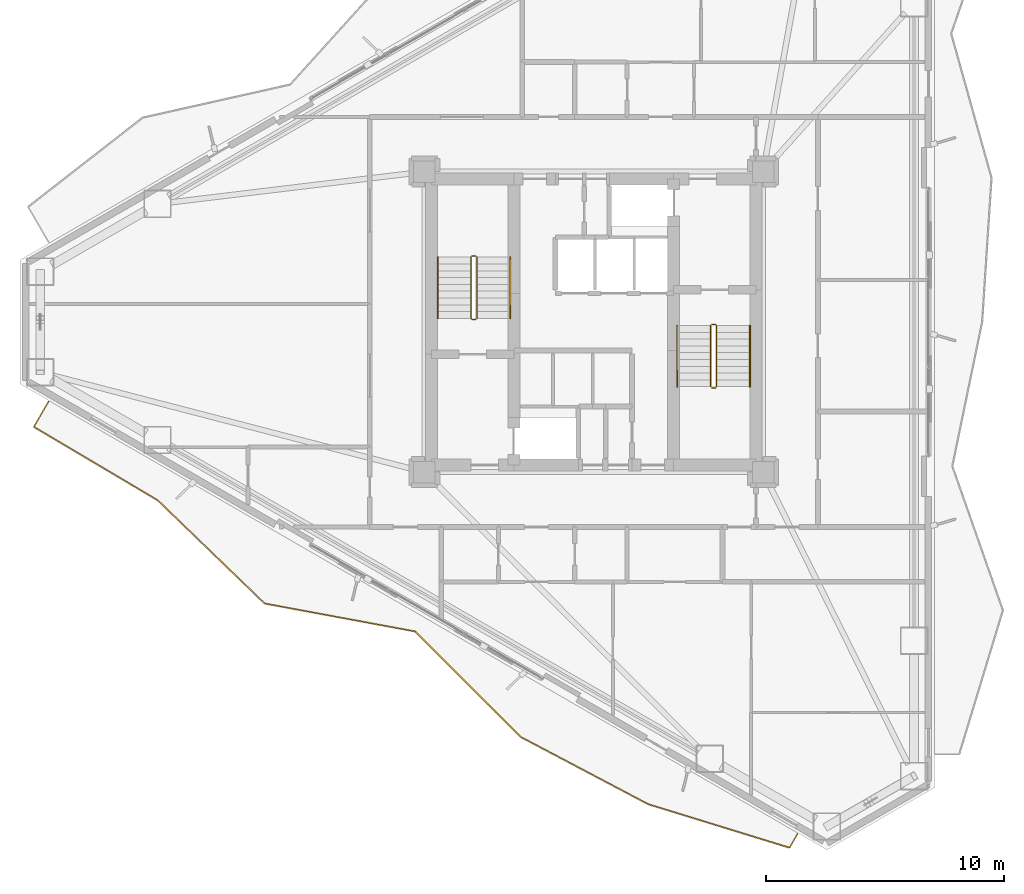
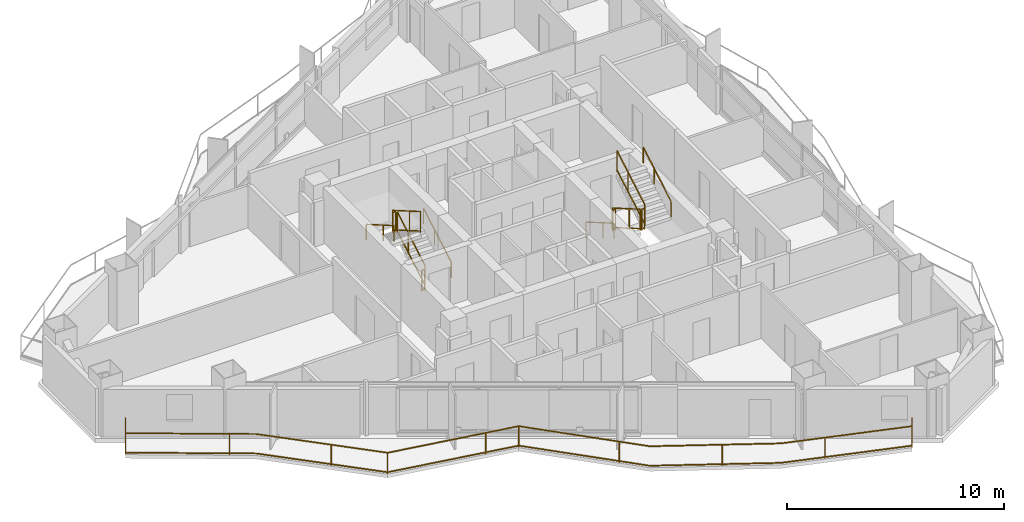
# One storey, part 21 of 22: 13 railings.
"""IFC4 building model written with IfcOpenShell, lengths in metres."""

from ifc_helpers import new_model, si_unit, direction, frame, origin, origin_2d, place, context, subcontext, project, spatial, rectangle, extrude, material, type_object, element, save


model = new_model("IFC4")

# Units and contexts
model_context = context("Model", 3, precision=1e-05, world=origin(), true_north=direction((0.0, 1.0)))
body_context = subcontext(model_context, "Body", "Model", "MODEL_VIEW")
ifc_project = project(units=[si_unit("LENGTHUNIT", "METRE"), si_unit("AREAUNIT", "SQUARE_METRE"), si_unit("VOLUMEUNIT", "CUBIC_METRE"), si_unit("PLANEANGLEUNIT", "RADIAN"), si_unit("MASSUNIT", "GRAM", prefix="KILO")], contexts=[model_context])

# Site, building, storey
site_placement = place(None, origin())
site = spatial("IfcSite", under=ifc_project, at=site_placement, CompositionType="ELEMENT")
building_placement = place(site_placement, origin())
building = spatial("IfcBuilding", under=site, at=building_placement, Name="Mersakhor Tower and Convention Hall", CompositionType="ELEMENT")
storey_placement = place(building_placement, frame((0.0, 0.0, 90.0)))
storey = spatial("IfcBuildingStorey", under=building, at=storey_placement, Name="L24", CompositionType="ELEMENT", Elevation=90.0)

# Railings
ifc_material_1 = material(Name="Powder-coated galvanised steel and laminated glass balustrade", Category="steel")
railing_type_1 = type_object("IfcRailingType", Name="RL-BAL-1200", PredefinedType="BALUSTRADE", material=ifc_material_1)
railing_1_placement = place(storey_placement, frame((6.1240234375, 23.4052734375, 0.0)))
element("IfcRailing", 1, at=railing_1_placement, inside=storey, type_object=railing_type_1, Name="L24 Sinusoidal Balcony Balustrade F3", PredefinedType="BALUSTRADE", context=body_context, shape_type="SweptSolid", body=[
    extrude(rectangle(XDim=0.048095703125, YDim=0.048095703125, at=origin_2d()), frame((0.0, 0.0, 1.17578125), z_axis=(-0.499885111907, -0.866091724296, 0.0), x_axis=(0.866091724296, -0.499885111907, 0.0)), (0.0, 0.0, 1.0), 1.212646484375),
    extrude(rectangle(XDim=0.048095703125, YDim=0.048095703125, at=origin_2d()), frame((0.0, 0.0, 0.080078125), z_axis=(-0.499885111907, -0.866091724296, 0.0), x_axis=(0.866091724296, -0.499885111907, 0.0)), (0.0, 0.0, 1.0), 1.212646484375),
    extrude(rectangle(XDim=0.048095703125, YDim=0.048095703125, at=origin_2d()), frame((-0.606201171875, -1.05029296875, 1.17578125), z_axis=(0.860223972095, -0.509916383177, 0.0), x_axis=(0.509916383177, 0.860223972095, 0.0)), (0.0, 0.0, 1.0), 6.046630859375),
    extrude(rectangle(XDim=0.048095703125, YDim=0.048095703125, at=origin_2d()), frame((-0.606201171875, -1.05029296875, 0.080078125), z_axis=(0.860223972095, -0.509916383177, 0.0), x_axis=(0.509916383177, 0.860223972095, 0.0)), (0.0, 0.0, 1.0), 6.046630859375),
    extrude(rectangle(XDim=0.048095703125, YDim=0.048095703125, at=origin_2d()), frame((4.59521484375, -4.133544921875, 1.17578125), z_axis=(0.71939876015, -0.694597310601, 0.0), x_axis=(0.694597310601, 0.71939876015, 0.0)), (0.0, 0.0, 1.0), 6.231201171875),
    extrude(rectangle(XDim=0.048095703125, YDim=0.048095703125, at=origin_2d()), frame((4.59521484375, -4.133544921875, 0.080078125), z_axis=(0.71939876015, -0.694597310601, 0.0), x_axis=(0.694597310601, 0.71939876015, 0.0)), (0.0, 0.0, 1.0), 6.231201171875),
    extrude(rectangle(XDim=0.048095703125, YDim=0.048095703125, at=origin_2d()), frame((9.077880859375, -8.461669921875, 1.17578125), z_axis=(0.983201132036, -0.182525433742, 0.0), x_axis=(0.182525433742, 0.983201132036, 0.0)), (0.0, 0.0, 1.0), 6.41357421875),
    extrude(rectangle(XDim=0.048095703125, YDim=0.048095703125, at=origin_2d()), frame((9.077880859375, -8.461669921875, 0.080078125), z_axis=(0.983201132036, -0.182525433742, 0.0), x_axis=(0.182525433742, 0.983201132036, 0.0)), (0.0, 0.0, 1.0), 6.41357421875),
    extrude(rectangle(XDim=0.048095703125, YDim=0.048095703125, at=origin_2d()), frame((15.3837890625, -9.63232421875, 1.17578125), z_axis=(0.707477274839, -0.706736093309, 0.0), x_axis=(0.706736093309, 0.707477274839, 0.0)), (0.0, 0.0, 1.0), 6.258544921875),
    extrude(rectangle(XDim=0.048095703125, YDim=0.048095703125, at=origin_2d()), frame((15.3837890625, -9.63232421875, 0.080078125), z_axis=(0.707477274839, -0.706736093309, 0.0), x_axis=(0.706736093309, 0.707477274839, 0.0)), (0.0, 0.0, 1.0), 6.258544921875),
    extrude(rectangle(XDim=0.048095703125, YDim=0.048095703125, at=origin_2d()), frame((19.8115234375, -14.055419921875, 1.17578125), z_axis=(0.884575759163, -0.466396533329, 0.0), x_axis=(0.466396533329, 0.884575759163, 0.0)), (0.0, 0.0, 1.0), 6.05078125),
    extrude(rectangle(XDim=0.048095703125, YDim=0.048095703125, at=origin_2d()), frame((19.8115234375, -14.055419921875, 0.080078125), z_axis=(0.884575759163, -0.466396533329, 0.0), x_axis=(0.466396533329, 0.884575759163, 0.0)), (0.0, 0.0, 1.0), 6.05078125),
    extrude(rectangle(XDim=0.048095703125, YDim=0.048095703125, at=origin_2d()), frame((25.163818359375, -16.87744140625, 1.17578125), z_axis=(0.955681077539, -0.294403936853, 0.0), x_axis=(0.294403936853, 0.955681077539, 0.0)), (0.0, 0.0, 1.0), 6.2021484375),
    extrude(rectangle(XDim=0.048095703125, YDim=0.048095703125, at=origin_2d()), frame((25.163818359375, -16.87744140625, 0.080078125), z_axis=(0.955681077539, -0.294403936853, 0.0), x_axis=(0.294403936853, 0.955681077539, 0.0)), (0.0, 0.0, 1.0), 6.2021484375),
    extrude(rectangle(XDim=0.048095703125, YDim=0.048095703125, at=origin_2d()), frame((31.091064453125, -18.703369140625, 1.17578125), z_axis=(0.500165322679, 0.865929933649, 0.0), x_axis=(-0.865929933649, 0.500165322679, 0.0)), (0.0, 0.0, 1.0), 0.652099609375),
    extrude(rectangle(XDim=0.048095703125, YDim=0.048095703125, at=origin_2d()), frame((31.091064453125, -18.703369140625, 0.080078125), z_axis=(0.500165322679, 0.865929933649, 0.0), x_axis=(-0.865929933649, 0.500165322679, 0.0)), (0.0, 0.0, 1.0), 0.652099609375),
    extrude(rectangle(XDim=0.0419921875, YDim=0.0419921875, at=origin_2d()), origin(), (0.0, 0.0, 1.0), 1.15185546875),
    extrude(rectangle(XDim=0.0419921875, YDim=0.0419921875, at=origin_2d()), frame((-0.606201171875, -1.05029296875, 0.0)), (0.0, 0.0, 1.0), 1.15185546875),
    extrude(rectangle(XDim=0.0419921875, YDim=0.0419921875, at=origin_2d()), frame((3.52294921875, -3.497802734375, 0.0)), (0.0, 0.0, 1.0), 1.15185546875),
    extrude(rectangle(XDim=0.0419921875, YDim=0.0419921875, at=origin_2d()), frame((7.151611328125, -6.601806640625, 0.0)), (0.0, 0.0, 1.0), 1.15185546875),
    extrude(rectangle(XDim=0.0419921875, YDim=0.0419921875, at=origin_2d()), frame((9.077880859375, -8.461669921875, 0.0)), (0.0, 0.0, 1.0), 1.15185546875),
    extrude(rectangle(XDim=0.0419921875, YDim=0.0419921875, at=origin_2d()), frame((13.79736328125, -9.337890625, 0.0)), (0.0, 0.0, 1.0), 1.15185546875),
    extrude(rectangle(XDim=0.0419921875, YDim=0.0419921875, at=origin_2d()), frame((15.3837890625, -9.63232421875, 0.0)), (0.0, 0.0, 1.0), 1.15185546875),
    extrude(rectangle(XDim=0.0419921875, YDim=0.0419921875, at=origin_2d()), frame((18.77978515625, -13.024658203125, 0.0)), (0.0, 0.0, 1.0), 1.15185546875),
    extrude(rectangle(XDim=0.0419921875, YDim=0.0419921875, at=origin_2d()), frame((22.767333984375, -15.614013671875, 0.0)), (0.0, 0.0, 1.0), 1.15185546875),
    extrude(rectangle(XDim=0.0419921875, YDim=0.0419921875, at=origin_2d()), frame((27.161865234375, -17.492919921875, 0.0)), (0.0, 0.0, 1.0), 1.15185546875),
    extrude(rectangle(XDim=0.0419921875, YDim=0.0419921875, at=origin_2d()), frame((31.091064453125, -18.703369140625, 0.0)), (0.0, 0.0, 1.0), 1.15185546875),
    extrude(rectangle(XDim=0.0419921875, YDim=0.0419921875, at=origin_2d()), frame((31.417236328125, -18.138671875, 0.0)), (0.0, 0.0, 1.0), 1.15185546875),
])
ifc_material_2 = material(Name="Brushed stainless steel handrail", Category="steel")
railing_type_2 = type_object("IfcRailingType", Name="RL-HR-900", PredefinedType="HANDRAIL", material=ifc_material_2)
railing_2_placement = place(storey_placement, frame((25.5, 26.89990234375, 0.1650390625)))
element("IfcRailing", 2, at=railing_2_placement, inside=storey, type_object=railing_type_2, Name="L24 ST-1 stair handrail 1", PredefinedType="HANDRAIL", context=body_context, shape_type="SweptSolid", body=[
    extrude(rectangle(XDim=0.048095703125, YDim=0.048095703125, at=origin_2d()), frame((0.0, 0.0, 0.8759765625), z_axis=(0.0, 0.865461999751, 0.500974577186), x_axis=(-1.0, 0.0, 0.0)), (0.0, 0.0, 1.0), 2.9638671875),
    extrude(rectangle(XDim=0.0419921875, YDim=0.0419921875, at=origin_2d()), origin(), (0.0, 0.0, 1.0), 0.851806640625),
    extrude(rectangle(XDim=0.0419921875, YDim=0.0419921875, at=origin_2d()), frame((0.0, 1.557861328125, 0.90185546875)), (0.0, 0.0, 1.0), 0.851806640625),
    extrude(rectangle(XDim=0.0419921875, YDim=0.0419921875, at=origin_2d()), frame((0.0, 2.565185546875, 1.48486328125)), (0.0, 0.0, 1.0), 0.851806640625),
])
railing_3_placement = place(storey_placement, frame((22.449951171875, 29.465087890625, 1.81494140625)))
element("IfcRailing", 3, at=railing_3_placement, inside=storey, type_object=railing_type_2, Name="L24 ST-1 stair handrail 2", PredefinedType="HANDRAIL", context=body_context, shape_type="SweptSolid", body=[
    extrude(rectangle(XDim=0.048095703125, YDim=0.048095703125, at=origin_2d()), frame((0.0, 0.0, 0.8759765625), z_axis=(0.0, -0.865426285481, 0.501036270542), x_axis=(1.0, 0.0, 0.0)), (0.0, 0.0, 1.0), 2.964111328125),
    extrude(rectangle(XDim=0.0419921875, YDim=0.0419921875, at=origin_2d()), origin(), (0.0, 0.0, 1.0), 0.851806640625),
    extrude(rectangle(XDim=0.0419921875, YDim=0.0419921875, at=origin_2d()), frame((0.0, -1.557861328125, 0.90185546875)), (0.0, 0.0, 1.0), 0.851806640625),
    extrude(rectangle(XDim=0.0419921875, YDim=0.0419921875, at=origin_2d()), frame((0.0, -2.565185546875, 1.485107421875)), (0.0, 0.0, 1.0), 0.851806640625),
])
railing_4_placement = place(storey_placement, frame((32.5, 26.60009765625, 0.1650390625)))
element("IfcRailing", 4, at=railing_4_placement, inside=storey, type_object=railing_type_2, Name="L24 ST-2 stair handrail 1", PredefinedType="HANDRAIL", context=body_context, shape_type="SweptSolid", body=[
    extrude(rectangle(XDim=0.048095703125, YDim=0.048095703125, at=origin_2d()), frame((0.0, 0.0, 0.8759765625), z_axis=(0.0, -0.865461999751, 0.500974577186), x_axis=(1.0, 0.0, 0.0)), (0.0, 0.0, 1.0), 2.9638671875),
    extrude(rectangle(XDim=0.0419921875, YDim=0.0419921875, at=origin_2d()), origin(), (0.0, 0.0, 1.0), 0.851806640625),
    extrude(rectangle(XDim=0.0419921875, YDim=0.0419921875, at=origin_2d()), frame((0.0, -1.557861328125, 0.90185546875)), (0.0, 0.0, 1.0), 0.851806640625),
    extrude(rectangle(XDim=0.0419921875, YDim=0.0419921875, at=origin_2d()), frame((0.0, -2.565185546875, 1.48486328125)), (0.0, 0.0, 1.0), 0.851806640625),
])
railing_5_placement = place(storey_placement, frame((35.550048828125, 24.034912109375, 1.81494140625)))
element("IfcRailing", 5, at=railing_5_placement, inside=storey, type_object=railing_type_2, Name="L24 ST-2 stair handrail 2", PredefinedType="HANDRAIL", context=body_context, shape_type="SweptSolid", body=[
    extrude(rectangle(XDim=0.048095703125, YDim=0.048095703125, at=origin_2d()), frame((0.0, 0.0, 0.8759765625), z_axis=(0.0, 0.865426285481, 0.501036270542), x_axis=(-1.0, 0.0, 0.0)), (0.0, 0.0, 1.0), 2.964111328125),
    extrude(rectangle(XDim=0.0419921875, YDim=0.0419921875, at=origin_2d()), origin(), (0.0, 0.0, 1.0), 0.851806640625),
    extrude(rectangle(XDim=0.0419921875, YDim=0.0419921875, at=origin_2d()), frame((0.0, 1.557861328125, 0.90185546875)), (0.0, 0.0, 1.0), 0.851806640625),
    extrude(rectangle(XDim=0.0419921875, YDim=0.0419921875, at=origin_2d()), frame((0.0, 2.565185546875, 1.485107421875)), (0.0, 0.0, 1.0), 0.851806640625),
])
ifc_material_3 = material(Name="Painted steel stair balustrade S355", Category="steel")
railing_type_3 = type_object("IfcRailingType", Name="RL-STG-1200", PredefinedType="BALUSTRADE", material=ifc_material_3)
railing_6_placement = place(storey_placement, frame((24.10009765625, 26.89990234375, 0.1650390625)))
element("IfcRailing", 6, at=railing_6_placement, inside=storey, type_object=railing_type_3, Name="L24 ST-1 stair guard 1", PredefinedType="BALUSTRADE", context=body_context, shape_type="SweptSolid", body=[
    extrude(rectangle(XDim=0.048095703125, YDim=0.048095703125, at=origin_2d()), frame((0.0, 0.0, 1.17578125), z_axis=(0.0, 0.865461999751, 0.500974577186), x_axis=(-1.0, 0.0, 0.0)), (0.0, 0.0, 1.0), 2.9638671875),
    extrude(rectangle(XDim=0.048095703125, YDim=0.048095703125, at=origin_2d()), frame((0.0, 0.0, 0.080078125), z_axis=(0.0, 0.865461999751, 0.500974577186), x_axis=(-1.0, 0.0, 0.0)), (0.0, 0.0, 1.0), 2.9638671875),
    extrude(rectangle(XDim=0.0419921875, YDim=0.0419921875, at=origin_2d()), origin(), (0.0, 0.0, 1.0), 1.15185546875),
    extrude(rectangle(XDim=0.0419921875, YDim=0.0419921875, at=origin_2d()), frame((0.0, 1.557861328125, 0.90185546875)), (0.0, 0.0, 1.0), 1.15185546875),
    extrude(rectangle(XDim=0.0419921875, YDim=0.0419921875, at=origin_2d()), frame((0.0, 2.565185546875, 1.48486328125)), (0.0, 0.0, 1.0), 1.15185546875),
])
railing_7_placement = place(storey_placement, frame((24.050048828125, 29.514892578125, 1.64990234375)))
element("IfcRailing", 7, at=railing_7_placement, inside=storey, type_object=railing_type_3, Name="L24 ST-1 stair guard 2", PredefinedType="BALUSTRADE", context=body_context, shape_type="SweptSolid", body=[
    extrude(rectangle(XDim=0.048095703125, YDim=0.048095703125, at=origin_2d()), frame((0.0, 0.0, 1.17578125), z_axis=(-1.0, 0.0, 0.0), x_axis=(0.0, -1.0, 0.0)), (0.0, 0.0, 1.0), 0.150146484375),
    extrude(rectangle(XDim=0.048095703125, YDim=0.048095703125, at=origin_2d()), frame((0.0, 0.0, 0.080078125), z_axis=(-1.0, 0.0, 0.0), x_axis=(0.0, -1.0, 0.0)), (0.0, 0.0, 1.0), 0.150146484375),
    extrude(rectangle(XDim=0.0419921875, YDim=0.0419921875, at=origin_2d()), origin(), (0.0, 0.0, 1.0), 1.15185546875),
    extrude(rectangle(XDim=0.0419921875, YDim=0.0419921875, at=origin_2d()), frame((-0.150146484375, 0.0, 0.0)), (0.0, 0.0, 1.0), 1.15185546875),
])
railing_8_placement = place(storey_placement, frame((23.85009765625, 29.465087890625, 1.81494140625)))
element("IfcRailing", 8, at=railing_8_placement, inside=storey, type_object=railing_type_3, Name="L24 ST-1 stair guard 3", PredefinedType="BALUSTRADE", context=body_context, shape_type="SweptSolid", body=[
    extrude(rectangle(XDim=0.048095703125, YDim=0.048095703125, at=origin_2d()), frame((0.0, 0.0, 1.17578125), z_axis=(0.0, -0.865426285481, 0.501036270542), x_axis=(1.0, 0.0, 0.0)), (0.0, 0.0, 1.0), 2.964111328125),
    extrude(rectangle(XDim=0.048095703125, YDim=0.048095703125, at=origin_2d()), frame((0.0, 0.0, 0.080078125), z_axis=(0.0, -0.865426285481, 0.501036270542), x_axis=(1.0, 0.0, 0.0)), (0.0, 0.0, 1.0), 2.964111328125),
    extrude(rectangle(XDim=0.0419921875, YDim=0.0419921875, at=origin_2d()), origin(), (0.0, 0.0, 1.0), 1.15185546875),
    extrude(rectangle(XDim=0.0419921875, YDim=0.0419921875, at=origin_2d()), frame((0.0, -1.557861328125, 0.90185546875)), (0.0, 0.0, 1.0), 1.15185546875),
    extrude(rectangle(XDim=0.0419921875, YDim=0.0419921875, at=origin_2d()), frame((0.0, -2.565185546875, 1.485107421875)), (0.0, 0.0, 1.0), 1.15185546875),
])
railing_9_placement = place(storey_placement, frame((24.050048828125, 26.85009765625, 0.0)))
element("IfcRailing", 9, at=railing_9_placement, inside=storey, type_object=railing_type_3, Name="L24 ST-1 stair guard 4", PredefinedType="BALUSTRADE", context=body_context, shape_type="SweptSolid", body=[
    extrude(rectangle(XDim=0.048095703125, YDim=0.048095703125, at=origin_2d()), frame((0.0, 0.0, 1.17578125), z_axis=(-1.0, 0.0, 0.0), x_axis=(0.0, -1.0, 0.0)), (0.0, 0.0, 1.0), 0.150146484375),
    extrude(rectangle(XDim=0.048095703125, YDim=0.048095703125, at=origin_2d()), frame((0.0, 0.0, 0.080078125), z_axis=(-1.0, 0.0, 0.0), x_axis=(0.0, -1.0, 0.0)), (0.0, 0.0, 1.0), 0.150146484375),
    extrude(rectangle(XDim=0.0419921875, YDim=0.0419921875, at=origin_2d()), origin(), (0.0, 0.0, 1.0), 1.15185546875),
    extrude(rectangle(XDim=0.0419921875, YDim=0.0419921875, at=origin_2d()), frame((-0.150146484375, 0.0, 0.0)), (0.0, 0.0, 1.0), 1.15185546875),
])
railing_10_placement = place(storey_placement, frame((33.89990234375, 26.60009765625, 0.1650390625)))
element("IfcRailing", 10, at=railing_10_placement, inside=storey, type_object=railing_type_3, Name="L24 ST-2 stair guard 1", PredefinedType="BALUSTRADE", context=body_context, shape_type="SweptSolid", body=[
    extrude(rectangle(XDim=0.048095703125, YDim=0.048095703125, at=origin_2d()), frame((0.0, 0.0, 1.17578125), z_axis=(0.0, -0.865461999751, 0.500974577186), x_axis=(1.0, 0.0, 0.0)), (0.0, 0.0, 1.0), 2.9638671875),
    extrude(rectangle(XDim=0.048095703125, YDim=0.048095703125, at=origin_2d()), frame((0.0, 0.0, 0.080078125), z_axis=(0.0, -0.865461999751, 0.500974577186), x_axis=(1.0, 0.0, 0.0)), (0.0, 0.0, 1.0), 2.9638671875),
    extrude(rectangle(XDim=0.0419921875, YDim=0.0419921875, at=origin_2d()), origin(), (0.0, 0.0, 1.0), 1.15185546875),
    extrude(rectangle(XDim=0.0419921875, YDim=0.0419921875, at=origin_2d()), frame((0.0, -1.557861328125, 0.90185546875)), (0.0, 0.0, 1.0), 1.15185546875),
    extrude(rectangle(XDim=0.0419921875, YDim=0.0419921875, at=origin_2d()), frame((0.0, -2.565185546875, 1.48486328125)), (0.0, 0.0, 1.0), 1.15185546875),
])
railing_11_placement = place(storey_placement, frame((33.949951171875, 23.985107421875, 1.64990234375)))
element("IfcRailing", 11, at=railing_11_placement, inside=storey, type_object=railing_type_3, Name="L24 ST-2 stair guard 2", PredefinedType="BALUSTRADE", context=body_context, shape_type="SweptSolid", body=[
    extrude(rectangle(XDim=0.048095703125, YDim=0.048095703125, at=origin_2d()), frame((0.0, 0.0, 1.17578125), z_axis=(1.0, 0.0, 0.0), x_axis=(0.0, 1.0, 0.0)), (0.0, 0.0, 1.0), 0.150146484375),
    extrude(rectangle(XDim=0.048095703125, YDim=0.048095703125, at=origin_2d()), frame((0.0, 0.0, 0.080078125), z_axis=(1.0, 0.0, 0.0), x_axis=(0.0, 1.0, 0.0)), (0.0, 0.0, 1.0), 0.150146484375),
    extrude(rectangle(XDim=0.0419921875, YDim=0.0419921875, at=origin_2d()), origin(), (0.0, 0.0, 1.0), 1.15185546875),
    extrude(rectangle(XDim=0.0419921875, YDim=0.0419921875, at=origin_2d()), frame((0.150146484375, 0.0, 0.0)), (0.0, 0.0, 1.0), 1.15185546875),
])
railing_12_placement = place(storey_placement, frame((34.14990234375, 24.034912109375, 1.81494140625)))
element("IfcRailing", 12, at=railing_12_placement, inside=storey, type_object=railing_type_3, Name="L24 ST-2 stair guard 3", PredefinedType="BALUSTRADE", context=body_context, shape_type="SweptSolid", body=[
    extrude(rectangle(XDim=0.048095703125, YDim=0.048095703125, at=origin_2d()), frame((0.0, 0.0, 1.17578125), z_axis=(0.0, 0.865426285481, 0.501036270542), x_axis=(-1.0, 0.0, 0.0)), (0.0, 0.0, 1.0), 2.964111328125),
    extrude(rectangle(XDim=0.048095703125, YDim=0.048095703125, at=origin_2d()), frame((0.0, 0.0, 0.080078125), z_axis=(0.0, 0.865426285481, 0.501036270542), x_axis=(-1.0, 0.0, 0.0)), (0.0, 0.0, 1.0), 2.964111328125),
    extrude(rectangle(XDim=0.0419921875, YDim=0.0419921875, at=origin_2d()), origin(), (0.0, 0.0, 1.0), 1.15185546875),
    extrude(rectangle(XDim=0.0419921875, YDim=0.0419921875, at=origin_2d()), frame((0.0, 1.557861328125, 0.90185546875)), (0.0, 0.0, 1.0), 1.15185546875),
    extrude(rectangle(XDim=0.0419921875, YDim=0.0419921875, at=origin_2d()), frame((0.0, 2.565185546875, 1.485107421875)), (0.0, 0.0, 1.0), 1.15185546875),
])
railing_13_placement = place(storey_placement, frame((33.949951171875, 26.64990234375, 0.0)))
element("IfcRailing", 13, at=railing_13_placement, inside=storey, type_object=railing_type_3, Name="L24 ST-2 stair guard 4", PredefinedType="BALUSTRADE", context=body_context, shape_type="SweptSolid", body=[
    extrude(rectangle(XDim=0.048095703125, YDim=0.048095703125, at=origin_2d()), frame((0.0, 0.0, 1.17578125), z_axis=(1.0, 0.0, 0.0), x_axis=(0.0, 1.0, 0.0)), (0.0, 0.0, 1.0), 0.150146484375),
    extrude(rectangle(XDim=0.048095703125, YDim=0.048095703125, at=origin_2d()), frame((0.0, 0.0, 0.080078125), z_axis=(1.0, 0.0, 0.0), x_axis=(0.0, 1.0, 0.0)), (0.0, 0.0, 1.0), 0.150146484375),
    extrude(rectangle(XDim=0.0419921875, YDim=0.0419921875, at=origin_2d()), origin(), (0.0, 0.0, 1.0), 1.15185546875),
    extrude(rectangle(XDim=0.0419921875, YDim=0.0419921875, at=origin_2d()), frame((0.150146484375, 0.0, 0.0)), (0.0, 0.0, 1.0), 1.15185546875),
])

save(model, "model.ifc")
